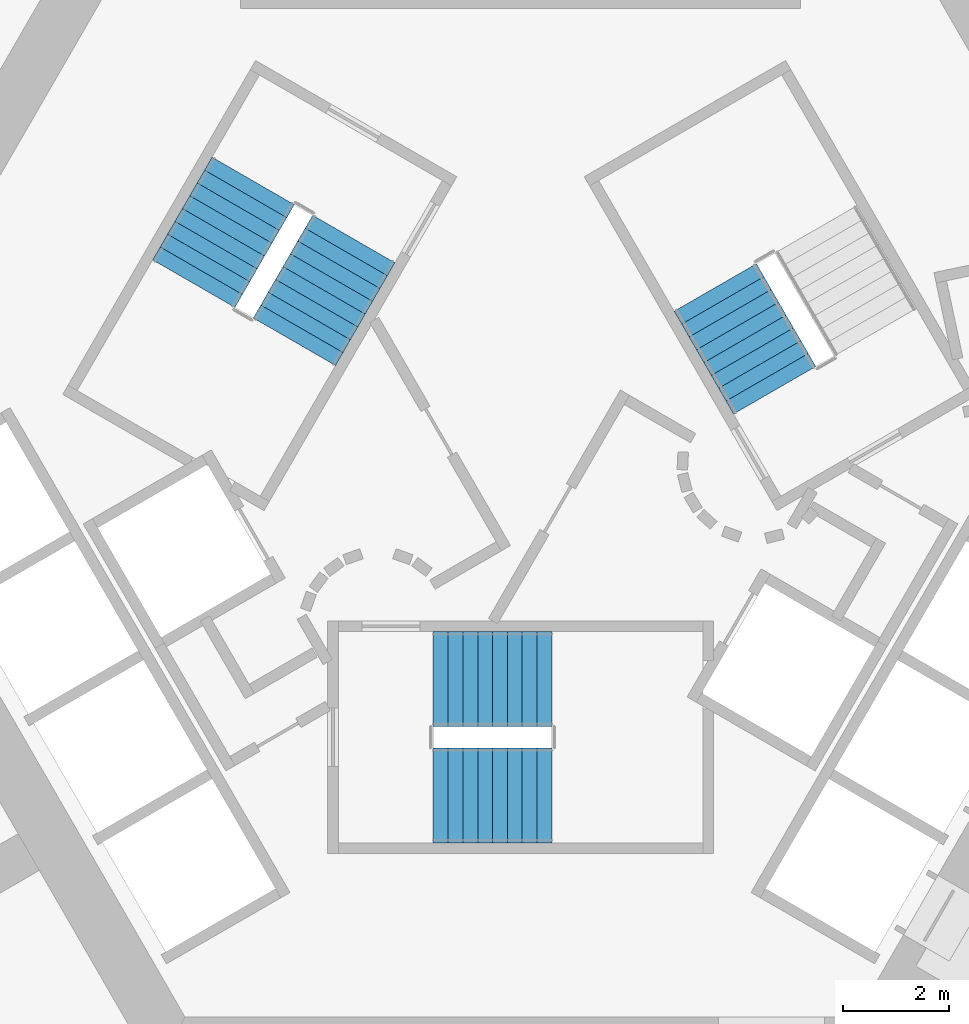
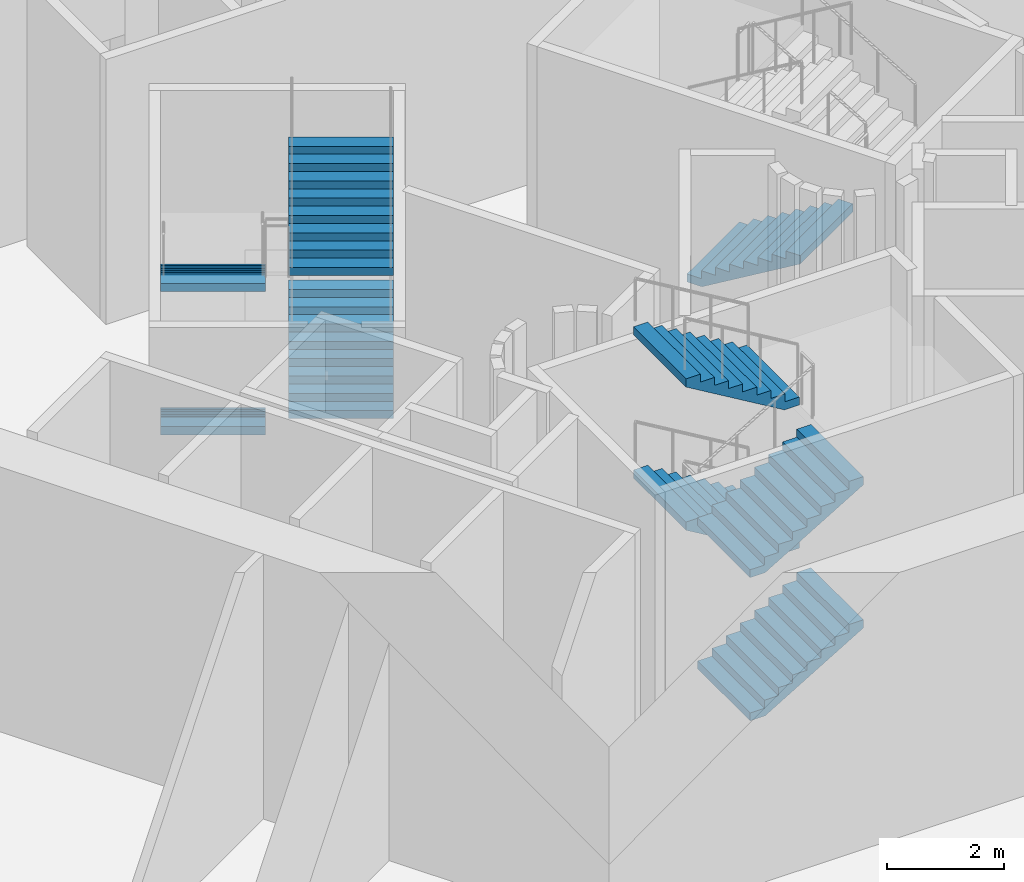
# One storey, part 9 of 15: 9 stair flights, 3 elements without a shape of their own.
"""IFC4 building model written with IfcOpenShell, lengths in metres."""

from ifc_helpers import new_model, si_unit, direction, frame, origin, place, context, subcontext, project, spatial, triangles, material, type_object, element, aggregate, save


model = new_model("IFC4")

# Units and contexts
model_context = context("Model", 3, precision=1e-05, world=origin(), true_north=direction((0.0, 1.0)))
body_context = subcontext(model_context, "Body", "Model", "MODEL_VIEW")
ifc_project = project(units=[si_unit("LENGTHUNIT", "METRE"), si_unit("AREAUNIT", "SQUARE_METRE"), si_unit("VOLUMEUNIT", "CUBIC_METRE"), si_unit("PLANEANGLEUNIT", "RADIAN"), si_unit("MASSUNIT", "GRAM", prefix="KILO")], contexts=[model_context])

# Site, building, storey
site_placement = place(None, origin())
site = spatial("IfcSite", under=ifc_project, at=site_placement, CompositionType="ELEMENT")
building_placement = place(site_placement, origin())
building = spatial("IfcBuilding", under=site, at=building_placement, Name="Entoto Arch Interchange Tower", CompositionType="ELEMENT")
storey_placement = place(building_placement, frame((0.0, 0.0, 9.0)))
storey = spatial("IfcBuildingStorey", under=building, at=storey_placement, Name="L01", CompositionType="ELEMENT", Elevation=9.0)

# Stair, stair flights
ifc_material = material(Name="Concrete C40/50", Category="concrete")
stair_type = type_object("IfcStairType", Name="EXIT STAIR RC 1800", PredefinedType="HALF_TURN_STAIR", material=ifc_material)
stair_1_placement = place(storey_placement, origin())
stair_1 = element("IfcStair", 1, at=stair_1_placement, inside=storey, type_object=stair_type, Name="L01 Exit stair S", PredefinedType="HALF_TURN_STAIR")
stair_flight_type = type_object("IfcStairFlightType", Name="EXIT STAIR FLIGHT RC 1800", PredefinedType="STRAIGHT", material=ifc_material)
stair_flight_1_placement = place(storey_placement, frame((-1.64990234375, -4.300048828125, 0.0), z_axis=(0.0, 0.0, 1.0), x_axis=(1.0, 0.0, 0.0)))
stair_flight_1 = element("IfcStairFlight", 2, at=stair_flight_1_placement, type_object=stair_flight_type, Name="ST-S flight 1", NumberOfRisers=9, NumberOfTreads=8, PredefinedType="STRAIGHT", RiserHeight=0.166666667, TreadLength=0.28, context=body_context, shape_type="Tessellation", body=[
    triangles([(-0.003, -0.900024, 0.0), (-0.003, -0.900024, 0.166667), (0.28, -0.900024, 0.166667), (0.28, -0.900024, 0.333333), (0.56, -0.900024, 0.333333), (0.56, -0.900024, 0.5), (0.84, -0.900024, 0.5), (0.84, -0.900024, 0.666667), (1.12, -0.900024, 0.666667), (1.12, -0.900024, 0.833333), (1.4, -0.900024, 0.833333), (1.4, -0.900024, 1.0), (1.68, -0.900024, 1.0), (1.68, -0.900024, 1.166667), (1.96, -0.900024, 1.166667), (1.96, -0.900024, 1.333333), (2.24, -0.900024, 1.333333), (2.243, -0.900024, 1.333333), (2.243, -0.900024, 1.160671), (0.293073, -0.900024, 0.0), (-0.003, 0.900024, 0.0), (-0.003, 0.900024, 0.166667), (0.28, 0.900024, 0.166667), (0.28, 0.900024, 0.333333), (0.56, 0.900024, 0.333333), (0.56, 0.900024, 0.5), (0.84, 0.900024, 0.5), (0.84, 0.900024, 0.666667), (1.12, 0.900024, 0.666667), (1.12, 0.900024, 0.833333), (1.4, 0.900024, 0.833333), (1.4, 0.900024, 1.0), (1.68, 0.900024, 1.0), (1.68, 0.900024, 1.166667), (1.96, 0.900024, 1.166667), (1.96, 0.900024, 1.333333), (2.24, 0.900024, 1.333333), (2.243, 0.900024, 1.333333), (2.243, 0.900024, 1.160671), (0.293073, 0.900024, 0.0), (-0.003, 0.0, 0.0), (-0.003, 0.0, 0.166667), (0.28, 0.0, 0.166667), (0.28, 0.0, 0.333333), (0.56, 0.0, 0.333333), (0.56, 0.0, 0.5), (0.84, 0.0, 0.5), (0.84, 0.0, 0.666667), (1.12, 0.0, 0.666667), (1.12, 0.0, 0.833333), (1.4, 0.0, 0.833333), (1.4, 0.0, 1.0), (1.68, 0.0, 1.0), (1.68, 0.0, 1.166667), (1.96, 0.0, 1.166667), (1.96, 0.0, 1.333333), (2.24, 0.0, 1.333333), (2.243, 0.0, 1.333333), (2.243, 0.0, 1.160671), (0.293073, 0.0, 0.0)], [[1, 20, 19], [19, 18, 17], [19, 17, 16], [19, 16, 15], [19, 15, 14], [19, 14, 13], [13, 12, 11], [19, 13, 11], [11, 10, 9], [19, 11, 9], [9, 8, 7], [19, 9, 7], [7, 6, 5], [19, 7, 5], [5, 4, 3], [19, 5, 3], [1, 19, 3], [3, 2, 1], [21, 39, 40], [39, 37, 38], [39, 36, 37], [39, 35, 36], [39, 34, 35], [39, 33, 34], [33, 31, 32], [39, 31, 33], [31, 29, 30], [39, 29, 31], [29, 27, 28], [39, 27, 29], [27, 25, 26], [39, 25, 27], [25, 23, 24], [39, 23, 25], [21, 23, 39], [23, 21, 22], [1, 2, 42], [1, 42, 41], [41, 42, 22], [41, 22, 21], [2, 3, 43], [2, 43, 42], [42, 43, 23], [42, 23, 22], [3, 4, 44], [3, 44, 43], [43, 44, 24], [43, 24, 23], [4, 5, 45], [4, 45, 44], [44, 45, 25], [44, 25, 24], [5, 6, 46], [5, 46, 45], [45, 46, 26], [45, 26, 25], [6, 7, 47], [6, 47, 46], [46, 47, 27], [46, 27, 26], [7, 8, 48], [7, 48, 47], [47, 48, 28], [47, 28, 27], [8, 9, 49], [8, 49, 48], [48, 49, 29], [48, 29, 28], [9, 10, 50], [9, 50, 49], [49, 50, 30], [49, 30, 29], [10, 11, 51], [10, 51, 50], [50, 51, 31], [50, 31, 30], [11, 12, 52], [11, 52, 51], [51, 52, 32], [51, 32, 31], [12, 13, 53], [12, 53, 52], [52, 53, 33], [52, 33, 32], [13, 14, 54], [13, 54, 53], [53, 54, 34], [53, 34, 33], [14, 15, 55], [14, 55, 54], [54, 55, 35], [54, 35, 34], [15, 16, 56], [15, 56, 55], [55, 56, 36], [55, 36, 35], [16, 17, 57], [16, 57, 56], [56, 57, 37], [56, 37, 36], [17, 18, 58], [17, 58, 57], [57, 58, 38], [57, 38, 37], [18, 19, 59], [18, 59, 58], [58, 59, 39], [58, 39, 38], [19, 20, 60], [19, 60, 59], [59, 60, 40], [59, 40, 39], [20, 1, 41], [20, 41, 60], [60, 41, 21], [60, 21, 40]], closed=True),
])
stair_flight_2_placement = place(storey_placement, frame((0.590087890625, -2.10009765625, 1.5), z_axis=(0.0, 0.0, 1.0), x_axis=(-1.0, 0.0, 0.0)))
stair_flight_2 = element("IfcStairFlight", 3, at=stair_flight_2_placement, type_object=stair_flight_type, Name="ST-S flight 2", NumberOfRisers=9, NumberOfTreads=8, PredefinedType="STRAIGHT", RiserHeight=0.166666667, TreadLength=0.28, context=body_context, shape_type="Tessellation", body=[
    triangles([(-0.003, -0.900024, 0.0), (-0.003, -0.900024, 0.166667), (0.28, -0.900024, 0.166667), (0.28, -0.900024, 0.333333), (0.56, -0.900024, 0.333333), (0.56, -0.900024, 0.5), (0.84, -0.900024, 0.5), (0.84, -0.900024, 0.666667), (1.12, -0.900024, 0.666667), (1.12, -0.900024, 0.833333), (1.4, -0.900024, 0.833333), (1.4, -0.900024, 1.0), (1.68, -0.900024, 1.0), (1.68, -0.900024, 1.166667), (1.96, -0.900024, 1.166667), (1.96, -0.900024, 1.333333), (2.24, -0.900024, 1.333333), (2.243, -0.900024, 1.333333), (2.243, -0.900024, 1.160671), (0.293073, -0.900024, 0.0), (-0.003, 0.900024, 0.0), (-0.003, 0.900024, 0.166667), (0.28, 0.900024, 0.166667), (0.28, 0.900024, 0.333333), (0.56, 0.900024, 0.333333), (0.56, 0.900024, 0.5), (0.84, 0.900024, 0.5), (0.84, 0.900024, 0.666667), (1.12, 0.900024, 0.666667), (1.12, 0.900024, 0.833333), (1.4, 0.900024, 0.833333), (1.4, 0.900024, 1.0), (1.68, 0.900024, 1.0), (1.68, 0.900024, 1.166667), (1.96, 0.900024, 1.166667), (1.96, 0.900024, 1.333333), (2.24, 0.900024, 1.333333), (2.243, 0.900024, 1.333333), (2.243, 0.900024, 1.160671), (0.293073, 0.900024, 0.0), (-0.003, 0.0, 0.0), (-0.003, 0.0, 0.166667), (0.28, 0.0, 0.166667), (0.28, 0.0, 0.333333), (0.56, 0.0, 0.333333), (0.56, 0.0, 0.5), (0.84, 0.0, 0.5), (0.84, 0.0, 0.666667), (1.12, 0.0, 0.666667), (1.12, 0.0, 0.833333), (1.4, 0.0, 0.833333), (1.4, 0.0, 1.0), (1.68, 0.0, 1.0), (1.68, 0.0, 1.166667), (1.96, 0.0, 1.166667), (1.96, 0.0, 1.333333), (2.24, 0.0, 1.333333), (2.243, 0.0, 1.333333), (2.243, 0.0, 1.160671), (0.293073, 0.0, 0.0)], [[1, 20, 19], [19, 18, 17], [19, 17, 16], [19, 16, 15], [19, 15, 14], [19, 14, 13], [13, 12, 11], [19, 13, 11], [11, 10, 9], [19, 11, 9], [9, 8, 7], [19, 9, 7], [7, 6, 5], [19, 7, 5], [5, 4, 3], [19, 5, 3], [1, 19, 3], [3, 2, 1], [21, 39, 40], [39, 37, 38], [39, 36, 37], [39, 35, 36], [39, 34, 35], [39, 33, 34], [33, 31, 32], [39, 31, 33], [31, 29, 30], [39, 29, 31], [29, 27, 28], [39, 27, 29], [27, 25, 26], [39, 25, 27], [25, 23, 24], [39, 23, 25], [21, 23, 39], [23, 21, 22], [1, 2, 42], [1, 42, 41], [41, 42, 22], [41, 22, 21], [2, 3, 43], [2, 43, 42], [42, 43, 23], [42, 23, 22], [3, 4, 44], [3, 44, 43], [43, 44, 24], [43, 24, 23], [4, 5, 45], [4, 45, 44], [44, 45, 25], [44, 25, 24], [5, 6, 46], [5, 46, 45], [45, 46, 26], [45, 26, 25], [6, 7, 47], [6, 47, 46], [46, 47, 27], [46, 27, 26], [7, 8, 48], [7, 48, 47], [47, 48, 28], [47, 28, 27], [8, 9, 49], [8, 49, 48], [48, 49, 29], [48, 29, 28], [9, 10, 50], [9, 50, 49], [49, 50, 30], [49, 30, 29], [10, 11, 51], [10, 51, 50], [50, 51, 31], [50, 31, 30], [11, 12, 52], [11, 52, 51], [51, 52, 32], [51, 32, 31], [12, 13, 53], [12, 53, 52], [52, 53, 33], [52, 33, 32], [13, 14, 54], [13, 54, 53], [53, 54, 34], [53, 34, 33], [14, 15, 55], [14, 55, 54], [54, 55, 35], [54, 35, 34], [15, 16, 56], [15, 56, 55], [55, 56, 36], [55, 36, 35], [16, 17, 57], [16, 57, 56], [56, 57, 37], [56, 37, 36], [17, 18, 58], [17, 58, 57], [57, 58, 38], [57, 38, 37], [18, 19, 59], [18, 59, 58], [58, 59, 39], [58, 39, 38], [19, 20, 60], [19, 60, 59], [59, 60, 40], [59, 40, 39], [20, 1, 41], [20, 41, 60], [60, 41, 21], [60, 21, 40]], closed=True),
])
stair_flight_3_placement = place(storey_placement, frame((-1.64990234375, -4.300048828125, 3.0), z_axis=(0.0, 0.0, 1.0), x_axis=(1.0, 0.0, 0.0)))
stair_flight_3 = element("IfcStairFlight", 4, at=stair_flight_3_placement, type_object=stair_flight_type, Name="ST-S flight 3", NumberOfRisers=9, NumberOfTreads=8, PredefinedType="STRAIGHT", RiserHeight=0.166666667, TreadLength=0.28, context=body_context, shape_type="Tessellation", body=[
    triangles([(-0.003, -0.900024, 0.0), (-0.003, -0.900024, 0.166667), (0.28, -0.900024, 0.166667), (0.28, -0.900024, 0.333333), (0.56, -0.900024, 0.333333), (0.56, -0.900024, 0.5), (0.84, -0.900024, 0.5), (0.84, -0.900024, 0.666667), (1.12, -0.900024, 0.666667), (1.12, -0.900024, 0.833333), (1.4, -0.900024, 0.833333), (1.4, -0.900024, 1.0), (1.68, -0.900024, 1.0), (1.68, -0.900024, 1.166667), (1.96, -0.900024, 1.166667), (1.96, -0.900024, 1.333333), (2.24, -0.900024, 1.333333), (2.243, -0.900024, 1.333333), (2.243, -0.900024, 1.160671), (0.293073, -0.900024, 0.0), (-0.003, 0.900024, 0.0), (-0.003, 0.900024, 0.166667), (0.28, 0.900024, 0.166667), (0.28, 0.900024, 0.333333), (0.56, 0.900024, 0.333333), (0.56, 0.900024, 0.5), (0.84, 0.900024, 0.5), (0.84, 0.900024, 0.666667), (1.12, 0.900024, 0.666667), (1.12, 0.900024, 0.833333), (1.4, 0.900024, 0.833333), (1.4, 0.900024, 1.0), (1.68, 0.900024, 1.0), (1.68, 0.900024, 1.166667), (1.96, 0.900024, 1.166667), (1.96, 0.900024, 1.333333), (2.24, 0.900024, 1.333333), (2.243, 0.900024, 1.333333), (2.243, 0.900024, 1.160671), (0.293073, 0.900024, 0.0), (-0.003, 0.0, 0.0), (-0.003, 0.0, 0.166667), (0.28, 0.0, 0.166667), (0.28, 0.0, 0.333333), (0.56, 0.0, 0.333333), (0.56, 0.0, 0.5), (0.84, 0.0, 0.5), (0.84, 0.0, 0.666667), (1.12, 0.0, 0.666667), (1.12, 0.0, 0.833333), (1.4, 0.0, 0.833333), (1.4, 0.0, 1.0), (1.68, 0.0, 1.0), (1.68, 0.0, 1.166667), (1.96, 0.0, 1.166667), (1.96, 0.0, 1.333333), (2.24, 0.0, 1.333333), (2.243, 0.0, 1.333333), (2.243, 0.0, 1.160671), (0.293073, 0.0, 0.0)], [[1, 20, 19], [19, 18, 17], [19, 17, 16], [19, 16, 15], [19, 15, 14], [19, 14, 13], [13, 12, 11], [19, 13, 11], [11, 10, 9], [19, 11, 9], [9, 8, 7], [19, 9, 7], [7, 6, 5], [19, 7, 5], [5, 4, 3], [19, 5, 3], [1, 19, 3], [3, 2, 1], [21, 39, 40], [39, 37, 38], [39, 36, 37], [39, 35, 36], [39, 34, 35], [39, 33, 34], [33, 31, 32], [39, 31, 33], [31, 29, 30], [39, 29, 31], [29, 27, 28], [39, 27, 29], [27, 25, 26], [39, 25, 27], [25, 23, 24], [39, 23, 25], [21, 23, 39], [23, 21, 22], [1, 2, 42], [1, 42, 41], [41, 42, 22], [41, 22, 21], [2, 3, 43], [2, 43, 42], [42, 43, 23], [42, 23, 22], [3, 4, 44], [3, 44, 43], [43, 44, 24], [43, 24, 23], [4, 5, 45], [4, 45, 44], [44, 45, 25], [44, 25, 24], [5, 6, 46], [5, 46, 45], [45, 46, 26], [45, 26, 25], [6, 7, 47], [6, 47, 46], [46, 47, 27], [46, 27, 26], [7, 8, 48], [7, 48, 47], [47, 48, 28], [47, 28, 27], [8, 9, 49], [8, 49, 48], [48, 49, 29], [48, 29, 28], [9, 10, 50], [9, 50, 49], [49, 50, 30], [49, 30, 29], [10, 11, 51], [10, 51, 50], [50, 51, 31], [50, 31, 30], [11, 12, 52], [11, 52, 51], [51, 52, 32], [51, 32, 31], [12, 13, 53], [12, 53, 52], [52, 53, 33], [52, 33, 32], [13, 14, 54], [13, 54, 53], [53, 54, 34], [53, 34, 33], [14, 15, 55], [14, 55, 54], [54, 55, 35], [54, 35, 34], [15, 16, 56], [15, 56, 55], [55, 56, 36], [55, 36, 35], [16, 17, 57], [16, 57, 56], [56, 57, 37], [56, 37, 36], [17, 18, 58], [17, 58, 57], [57, 58, 38], [57, 38, 37], [18, 19, 59], [18, 59, 58], [58, 59, 39], [58, 39, 38], [19, 20, 60], [19, 60, 59], [59, 60, 40], [59, 40, 39], [20, 1, 41], [20, 41, 60], [60, 41, 21], [60, 21, 40]], closed=True),
])
stair_flight_4_placement = place(storey_placement, frame((0.590087890625, -2.10009765625, 4.5), z_axis=(0.0, 0.0, 1.0), x_axis=(-1.0, 0.0, 0.0)))
stair_flight_4 = element("IfcStairFlight", 5, at=stair_flight_4_placement, type_object=stair_flight_type, Name="ST-S flight 4", NumberOfRisers=9, NumberOfTreads=8, PredefinedType="STRAIGHT", RiserHeight=0.166666667, TreadLength=0.28, context=body_context, shape_type="Tessellation", body=[
    triangles([(-0.003, -0.900024, 0.0), (-0.003, -0.900024, 0.166667), (0.28, -0.900024, 0.166667), (0.28, -0.900024, 0.333333), (0.56, -0.900024, 0.333333), (0.56, -0.900024, 0.5), (0.84, -0.900024, 0.5), (0.84, -0.900024, 0.666667), (1.12, -0.900024, 0.666667), (1.12, -0.900024, 0.833333), (1.4, -0.900024, 0.833333), (1.4, -0.900024, 1.0), (1.68, -0.900024, 1.0), (1.68, -0.900024, 1.166667), (1.96, -0.900024, 1.166667), (1.96, -0.900024, 1.333333), (2.24, -0.900024, 1.333333), (2.243, -0.900024, 1.333333), (2.243, -0.900024, 1.160671), (0.293073, -0.900024, 0.0), (-0.003, 0.900024, 0.0), (-0.003, 0.900024, 0.166667), (0.28, 0.900024, 0.166667), (0.28, 0.900024, 0.333333), (0.56, 0.900024, 0.333333), (0.56, 0.900024, 0.5), (0.84, 0.900024, 0.5), (0.84, 0.900024, 0.666667), (1.12, 0.900024, 0.666667), (1.12, 0.900024, 0.833333), (1.4, 0.900024, 0.833333), (1.4, 0.900024, 1.0), (1.68, 0.900024, 1.0), (1.68, 0.900024, 1.166667), (1.96, 0.900024, 1.166667), (1.96, 0.900024, 1.333333), (2.24, 0.900024, 1.333333), (2.243, 0.900024, 1.333333), (2.243, 0.900024, 1.160671), (0.293073, 0.900024, 0.0), (-0.003, 0.0, 0.0), (-0.003, 0.0, 0.166667), (0.28, 0.0, 0.166667), (0.28, 0.0, 0.333333), (0.56, 0.0, 0.333333), (0.56, 0.0, 0.5), (0.84, 0.0, 0.5), (0.84, 0.0, 0.666667), (1.12, 0.0, 0.666667), (1.12, 0.0, 0.833333), (1.4, 0.0, 0.833333), (1.4, 0.0, 1.0), (1.68, 0.0, 1.0), (1.68, 0.0, 1.166667), (1.96, 0.0, 1.166667), (1.96, 0.0, 1.333333), (2.24, 0.0, 1.333333), (2.243, 0.0, 1.333333), (2.243, 0.0, 1.160671), (0.293073, 0.0, 0.0)], [[1, 20, 19], [19, 18, 17], [19, 17, 16], [19, 16, 15], [19, 15, 14], [19, 14, 13], [13, 12, 11], [19, 13, 11], [11, 10, 9], [19, 11, 9], [9, 8, 7], [19, 9, 7], [7, 6, 5], [19, 7, 5], [5, 4, 3], [19, 5, 3], [1, 19, 3], [3, 2, 1], [21, 39, 40], [39, 37, 38], [39, 36, 37], [39, 35, 36], [39, 34, 35], [39, 33, 34], [33, 31, 32], [39, 31, 33], [31, 29, 30], [39, 29, 31], [29, 27, 28], [39, 27, 29], [27, 25, 26], [39, 25, 27], [25, 23, 24], [39, 23, 25], [21, 23, 39], [23, 21, 22], [1, 2, 42], [1, 42, 41], [41, 42, 22], [41, 22, 21], [2, 3, 43], [2, 43, 42], [42, 43, 23], [42, 23, 22], [3, 4, 44], [3, 44, 43], [43, 44, 24], [43, 24, 23], [4, 5, 45], [4, 45, 44], [44, 45, 25], [44, 25, 24], [5, 6, 46], [5, 46, 45], [45, 46, 26], [45, 26, 25], [6, 7, 47], [6, 47, 46], [46, 47, 27], [46, 27, 26], [7, 8, 48], [7, 48, 47], [47, 48, 28], [47, 28, 27], [8, 9, 49], [8, 49, 48], [48, 49, 29], [48, 29, 28], [9, 10, 50], [9, 50, 49], [49, 50, 30], [49, 30, 29], [10, 11, 51], [10, 51, 50], [50, 51, 31], [50, 31, 30], [11, 12, 52], [11, 52, 51], [51, 52, 32], [51, 32, 31], [12, 13, 53], [12, 53, 52], [52, 53, 33], [52, 33, 32], [13, 14, 54], [13, 54, 53], [53, 54, 34], [53, 34, 33], [14, 15, 55], [14, 55, 54], [54, 55, 35], [54, 35, 34], [15, 16, 56], [15, 56, 55], [55, 56, 36], [55, 36, 35], [16, 17, 57], [16, 57, 56], [56, 57, 37], [56, 37, 36], [17, 18, 58], [17, 58, 57], [57, 58, 38], [57, 38, 37], [18, 19, 59], [18, 59, 58], [58, 59, 39], [58, 39, 38], [19, 20, 60], [19, 60, 59], [59, 60, 40], [59, 40, 39], [20, 1, 41], [20, 41, 60], [60, 41, 21], [60, 21, 40]], closed=True),
])
aggregate(stair_1, [stair_flight_1, stair_flight_2, stair_flight_3, stair_flight_4])

# Stair, stair flight
stair_2_placement = place(storey_placement, origin())
stair_2 = element("IfcStair", 6, at=stair_2_placement, inside=storey, type_object=stair_type, Name="L01 Exit stair NE", PredefinedType="HALF_TURN_STAIR")
stair_flight_5_placement = place(storey_placement, frame((3.688720703125, 5.31103515625, 1.5), z_axis=(0.0, 0.0, 1.0), x_axis=(0.5, -0.866025403784, 0.0)))
stair_flight_5 = element("IfcStairFlight", 7, at=stair_flight_5_placement, type_object=stair_flight_type, Name="ST-NE flight 2", NumberOfRisers=9, NumberOfTreads=8, PredefinedType="STRAIGHT", RiserHeight=0.166666667, TreadLength=0.28, context=body_context, shape_type="Tessellation", body=[
    triangles([(-0.003, -0.900024, 0.0), (-0.003, -0.900024, 0.166667), (0.28, -0.900024, 0.166667), (0.28, -0.900024, 0.333333), (0.56, -0.900024, 0.333333), (0.56, -0.900024, 0.5), (0.84, -0.900024, 0.5), (0.84, -0.900024, 0.666667), (1.12, -0.900024, 0.666667), (1.12, -0.900024, 0.833333), (1.4, -0.900024, 0.833333), (1.4, -0.900024, 1.0), (1.68, -0.900024, 1.0), (1.68, -0.900024, 1.166667), (1.96, -0.900024, 1.166667), (1.96, -0.900024, 1.333333), (2.24, -0.900024, 1.333333), (2.243, -0.900024, 1.333333), (2.243, -0.900024, 1.160671), (0.293073, -0.900024, 0.0), (-0.003, 0.900024, 0.0), (-0.003, 0.900024, 0.166667), (0.28, 0.900024, 0.166667), (0.28, 0.900024, 0.333333), (0.56, 0.900024, 0.333333), (0.56, 0.900024, 0.5), (0.84, 0.900024, 0.5), (0.84, 0.900024, 0.666667), (1.12, 0.900024, 0.666667), (1.12, 0.900024, 0.833333), (1.4, 0.900024, 0.833333), (1.4, 0.900024, 1.0), (1.68, 0.900024, 1.0), (1.68, 0.900024, 1.166667), (1.96, 0.900024, 1.166667), (1.96, 0.900024, 1.333333), (2.24, 0.900024, 1.333333), (2.243, 0.900024, 1.333333), (2.243, 0.900024, 1.160671), (0.293073, 0.900024, 0.0), (-0.003, 0.0, 0.0), (-0.003, 0.0, 0.166667), (0.28, 0.0, 0.166667), (0.28, 0.0, 0.333333), (0.56, 0.0, 0.333333), (0.56, 0.0, 0.5), (0.84, 0.0, 0.5), (0.84, 0.0, 0.666667), (1.12, 0.0, 0.666667), (1.12, 0.0, 0.833333), (1.4, 0.0, 0.833333), (1.4, 0.0, 1.0), (1.68, 0.0, 1.0), (1.68, 0.0, 1.166667), (1.96, 0.0, 1.166667), (1.96, 0.0, 1.333333), (2.24, 0.0, 1.333333), (2.243, 0.0, 1.333333), (2.243, 0.0, 1.160671), (0.293073, 0.0, 0.0)], [[1, 20, 19], [19, 18, 17], [19, 17, 16], [19, 16, 15], [19, 15, 14], [19, 14, 13], [13, 12, 11], [19, 13, 11], [11, 10, 9], [19, 11, 9], [9, 8, 7], [19, 9, 7], [7, 6, 5], [19, 7, 5], [5, 4, 3], [19, 5, 3], [1, 19, 3], [3, 2, 1], [21, 39, 40], [39, 37, 38], [39, 36, 37], [39, 35, 36], [39, 34, 35], [39, 33, 34], [33, 31, 32], [39, 31, 33], [31, 29, 30], [39, 29, 31], [29, 27, 28], [39, 27, 29], [27, 25, 26], [39, 25, 27], [25, 23, 24], [39, 23, 25], [21, 23, 39], [23, 21, 22], [1, 2, 42], [1, 42, 41], [41, 42, 22], [41, 22, 21], [2, 3, 43], [2, 43, 42], [42, 43, 23], [42, 23, 22], [3, 4, 44], [3, 44, 43], [43, 44, 24], [43, 24, 23], [4, 5, 45], [4, 45, 44], [44, 45, 25], [44, 25, 24], [5, 6, 46], [5, 46, 45], [45, 46, 26], [45, 26, 25], [6, 7, 47], [6, 47, 46], [46, 47, 27], [46, 27, 26], [7, 8, 48], [7, 48, 47], [47, 48, 28], [47, 28, 27], [8, 9, 49], [8, 49, 48], [48, 49, 29], [48, 29, 28], [9, 10, 50], [9, 50, 49], [49, 50, 30], [49, 30, 29], [10, 11, 51], [10, 51, 50], [50, 51, 31], [50, 31, 30], [11, 12, 52], [11, 52, 51], [51, 52, 32], [51, 32, 31], [12, 13, 53], [12, 53, 52], [52, 53, 33], [52, 33, 32], [13, 14, 54], [13, 54, 53], [53, 54, 34], [53, 34, 33], [14, 15, 55], [14, 55, 54], [54, 55, 35], [54, 35, 34], [15, 16, 56], [15, 56, 55], [55, 56, 36], [55, 36, 35], [16, 17, 57], [16, 57, 56], [56, 57, 37], [56, 37, 36], [17, 18, 58], [17, 58, 57], [57, 58, 38], [57, 38, 37], [18, 19, 59], [18, 59, 58], [58, 59, 39], [58, 39, 38], [19, 20, 60], [19, 60, 59], [59, 60, 40], [59, 40, 39], [20, 1, 41], [20, 41, 60], [60, 41, 21], [60, 21, 40]], closed=True),
])
aggregate(stair_2, [stair_flight_5])

# Stair, stair flights
stair_3_placement = place(storey_placement, origin())
stair_3 = element("IfcStair", 8, at=stair_3_placement, inside=storey, type_object=stair_type, Name="L01 Exit stair NW", PredefinedType="HALF_TURN_STAIR")
stair_flight_6_placement = place(storey_placement, frame((-5.06396484375, 7.328857421875, 0.0), z_axis=(0.0, 0.0, 1.0), x_axis=(-0.5, -0.866025403784, 0.0)))
stair_flight_6 = element("IfcStairFlight", 9, at=stair_flight_6_placement, type_object=stair_flight_type, Name="ST-NW flight 1", NumberOfRisers=9, NumberOfTreads=8, PredefinedType="STRAIGHT", RiserHeight=0.166666667, TreadLength=0.28, context=body_context, shape_type="Tessellation", body=[
    triangles([(-0.003, -0.900024, 0.0), (-0.003, -0.900024, 0.166667), (0.28, -0.900024, 0.166667), (0.28, -0.900024, 0.333333), (0.56, -0.900024, 0.333333), (0.56, -0.900024, 0.5), (0.84, -0.900024, 0.5), (0.84, -0.900024, 0.666667), (1.12, -0.900024, 0.666667), (1.12, -0.900024, 0.833333), (1.4, -0.900024, 0.833333), (1.4, -0.900024, 1.0), (1.68, -0.900024, 1.0), (1.68, -0.900024, 1.166667), (1.96, -0.900024, 1.166667), (1.96, -0.900024, 1.333333), (2.24, -0.900024, 1.333333), (2.243, -0.900024, 1.333333), (2.243, -0.900024, 1.160671), (0.293073, -0.900024, 0.0), (-0.003, 0.900024, 0.0), (-0.003, 0.900024, 0.166667), (0.28, 0.900024, 0.166667), (0.28, 0.900024, 0.333333), (0.56, 0.900024, 0.333333), (0.56, 0.900024, 0.5), (0.84, 0.900024, 0.5), (0.84, 0.900024, 0.666667), (1.12, 0.900024, 0.666667), (1.12, 0.900024, 0.833333), (1.4, 0.900024, 0.833333), (1.4, 0.900024, 1.0), (1.68, 0.900024, 1.0), (1.68, 0.900024, 1.166667), (1.96, 0.900024, 1.166667), (1.96, 0.900024, 1.333333), (2.24, 0.900024, 1.333333), (2.243, 0.900024, 1.333333), (2.243, 0.900024, 1.160671), (0.293073, 0.900024, 0.0), (-0.003, 0.0, 0.0), (-0.003, 0.0, 0.166667), (0.28, 0.0, 0.166667), (0.28, 0.0, 0.333333), (0.56, 0.0, 0.333333), (0.56, 0.0, 0.5), (0.84, 0.0, 0.5), (0.84, 0.0, 0.666667), (1.12, 0.0, 0.666667), (1.12, 0.0, 0.833333), (1.4, 0.0, 0.833333), (1.4, 0.0, 1.0), (1.68, 0.0, 1.0), (1.68, 0.0, 1.166667), (1.96, 0.0, 1.166667), (1.96, 0.0, 1.333333), (2.24, 0.0, 1.333333), (2.243, 0.0, 1.333333), (2.243, 0.0, 1.160671), (0.293073, 0.0, 0.0)], [[1, 20, 19], [19, 18, 17], [19, 17, 16], [19, 16, 15], [19, 15, 14], [19, 14, 13], [13, 12, 11], [19, 13, 11], [11, 10, 9], [19, 11, 9], [9, 8, 7], [19, 9, 7], [7, 6, 5], [19, 7, 5], [5, 4, 3], [19, 5, 3], [1, 19, 3], [3, 2, 1], [21, 39, 40], [39, 37, 38], [39, 36, 37], [39, 35, 36], [39, 34, 35], [39, 33, 34], [33, 31, 32], [39, 31, 33], [31, 29, 30], [39, 29, 31], [29, 27, 28], [39, 27, 29], [27, 25, 26], [39, 25, 27], [25, 23, 24], [39, 23, 25], [21, 23, 39], [23, 21, 22], [1, 2, 42], [1, 42, 41], [41, 42, 22], [41, 22, 21], [2, 3, 43], [2, 43, 42], [42, 43, 23], [42, 23, 22], [3, 4, 44], [3, 44, 43], [43, 44, 24], [43, 24, 23], [4, 5, 45], [4, 45, 44], [44, 45, 25], [44, 25, 24], [5, 6, 46], [5, 46, 45], [45, 46, 26], [45, 26, 25], [6, 7, 47], [6, 47, 46], [46, 47, 27], [46, 27, 26], [7, 8, 48], [7, 48, 47], [47, 48, 28], [47, 28, 27], [8, 9, 49], [8, 49, 48], [48, 49, 29], [48, 29, 28], [9, 10, 50], [9, 50, 49], [49, 50, 30], [49, 30, 29], [10, 11, 51], [10, 51, 50], [50, 51, 31], [50, 31, 30], [11, 12, 52], [11, 52, 51], [51, 52, 32], [51, 32, 31], [12, 13, 53], [12, 53, 52], [52, 53, 33], [52, 33, 32], [13, 14, 54], [13, 54, 53], [53, 54, 34], [53, 34, 33], [14, 15, 55], [14, 55, 54], [54, 55, 35], [54, 35, 34], [15, 16, 56], [15, 56, 55], [55, 56, 36], [55, 36, 35], [16, 17, 57], [16, 57, 56], [56, 57, 37], [56, 37, 36], [17, 18, 58], [17, 58, 57], [57, 58, 38], [57, 38, 37], [18, 19, 59], [18, 59, 58], [58, 59, 39], [58, 39, 38], [19, 20, 60], [19, 60, 59], [59, 60, 40], [59, 40, 39], [20, 1, 41], [20, 41, 60], [60, 41, 21], [60, 21, 40]], closed=True),
])
stair_flight_7_placement = place(storey_placement, frame((-4.27880859375, 4.2890625, 1.5), z_axis=(0.0, 0.0, 1.0), x_axis=(0.5, 0.866025403784, 0.0)))
stair_flight_7 = element("IfcStairFlight", 10, at=stair_flight_7_placement, type_object=stair_flight_type, Name="ST-NW flight 2", NumberOfRisers=9, NumberOfTreads=8, PredefinedType="STRAIGHT", RiserHeight=0.166666667, TreadLength=0.28, context=body_context, shape_type="Tessellation", body=[
    triangles([(-0.003, -0.900024, 0.0), (-0.003, -0.900024, 0.166667), (0.28, -0.900024, 0.166667), (0.28, -0.900024, 0.333333), (0.56, -0.900024, 0.333333), (0.56, -0.900024, 0.5), (0.84, -0.900024, 0.5), (0.84, -0.900024, 0.666667), (1.12, -0.900024, 0.666667), (1.12, -0.900024, 0.833333), (1.4, -0.900024, 0.833333), (1.4, -0.900024, 1.0), (1.68, -0.900024, 1.0), (1.68, -0.900024, 1.166667), (1.96, -0.900024, 1.166667), (1.96, -0.900024, 1.333333), (2.24, -0.900024, 1.333333), (2.243, -0.900024, 1.333333), (2.243, -0.900024, 1.160671), (0.293073, -0.900024, 0.0), (-0.003, 0.900024, 0.0), (-0.003, 0.900024, 0.166667), (0.28, 0.900024, 0.166667), (0.28, 0.900024, 0.333333), (0.56, 0.900024, 0.333333), (0.56, 0.900024, 0.5), (0.84, 0.900024, 0.5), (0.84, 0.900024, 0.666667), (1.12, 0.900024, 0.666667), (1.12, 0.900024, 0.833333), (1.4, 0.900024, 0.833333), (1.4, 0.900024, 1.0), (1.68, 0.900024, 1.0), (1.68, 0.900024, 1.166667), (1.96, 0.900024, 1.166667), (1.96, 0.900024, 1.333333), (2.24, 0.900024, 1.333333), (2.243, 0.900024, 1.333333), (2.243, 0.900024, 1.160671), (0.293073, 0.900024, 0.0), (-0.003, 0.0, 0.0), (-0.003, 0.0, 0.166667), (0.28, 0.0, 0.166667), (0.28, 0.0, 0.333333), (0.56, 0.0, 0.333333), (0.56, 0.0, 0.5), (0.84, 0.0, 0.5), (0.84, 0.0, 0.666667), (1.12, 0.0, 0.666667), (1.12, 0.0, 0.833333), (1.4, 0.0, 0.833333), (1.4, 0.0, 1.0), (1.68, 0.0, 1.0), (1.68, 0.0, 1.166667), (1.96, 0.0, 1.166667), (1.96, 0.0, 1.333333), (2.24, 0.0, 1.333333), (2.243, 0.0, 1.333333), (2.243, 0.0, 1.160671), (0.293073, 0.0, 0.0)], [[1, 20, 19], [19, 18, 17], [19, 17, 16], [19, 16, 15], [19, 15, 14], [19, 14, 13], [13, 12, 11], [19, 13, 11], [11, 10, 9], [19, 11, 9], [9, 8, 7], [19, 9, 7], [7, 6, 5], [19, 7, 5], [5, 4, 3], [19, 5, 3], [1, 19, 3], [3, 2, 1], [21, 39, 40], [39, 37, 38], [39, 36, 37], [39, 35, 36], [39, 34, 35], [39, 33, 34], [33, 31, 32], [39, 31, 33], [31, 29, 30], [39, 29, 31], [29, 27, 28], [39, 27, 29], [27, 25, 26], [39, 25, 27], [25, 23, 24], [39, 23, 25], [21, 23, 39], [23, 21, 22], [1, 2, 42], [1, 42, 41], [41, 42, 22], [41, 22, 21], [2, 3, 43], [2, 43, 42], [42, 43, 23], [42, 23, 22], [3, 4, 44], [3, 44, 43], [43, 44, 24], [43, 24, 23], [4, 5, 45], [4, 45, 44], [44, 45, 25], [44, 25, 24], [5, 6, 46], [5, 46, 45], [45, 46, 26], [45, 26, 25], [6, 7, 47], [6, 47, 46], [46, 47, 27], [46, 27, 26], [7, 8, 48], [7, 48, 47], [47, 48, 28], [47, 28, 27], [8, 9, 49], [8, 49, 48], [48, 49, 29], [48, 29, 28], [9, 10, 50], [9, 50, 49], [49, 50, 30], [49, 30, 29], [10, 11, 51], [10, 51, 50], [50, 51, 31], [50, 31, 30], [11, 12, 52], [11, 52, 51], [51, 52, 32], [51, 32, 31], [12, 13, 53], [12, 53, 52], [52, 53, 33], [52, 33, 32], [13, 14, 54], [13, 54, 53], [53, 54, 34], [53, 34, 33], [14, 15, 55], [14, 55, 54], [54, 55, 35], [54, 35, 34], [15, 16, 56], [15, 56, 55], [55, 56, 36], [55, 36, 35], [16, 17, 57], [16, 57, 56], [56, 57, 37], [56, 37, 36], [17, 18, 58], [17, 58, 57], [57, 58, 38], [57, 38, 37], [18, 19, 59], [18, 59, 58], [58, 59, 39], [58, 39, 38], [19, 20, 60], [19, 60, 59], [59, 60, 40], [59, 40, 39], [20, 1, 41], [20, 41, 60], [60, 41, 21], [60, 21, 40]], closed=True),
])
stair_flight_8_placement = place(storey_placement, frame((-5.06396484375, 7.328857421875, 3.0), z_axis=(0.0, 0.0, 1.0), x_axis=(-0.5, -0.866025403784, 0.0)))
stair_flight_8 = element("IfcStairFlight", 11, at=stair_flight_8_placement, type_object=stair_flight_type, Name="ST-NW flight 3", NumberOfRisers=9, NumberOfTreads=8, PredefinedType="STRAIGHT", RiserHeight=0.166666667, TreadLength=0.28, context=body_context, shape_type="Tessellation", body=[
    triangles([(-0.003, -0.900024, 0.0), (-0.003, -0.900024, 0.166667), (0.28, -0.900024, 0.166667), (0.28, -0.900024, 0.333333), (0.56, -0.900024, 0.333333), (0.56, -0.900024, 0.5), (0.84, -0.900024, 0.5), (0.84, -0.900024, 0.666667), (1.12, -0.900024, 0.666667), (1.12, -0.900024, 0.833333), (1.4, -0.900024, 0.833333), (1.4, -0.900024, 1.0), (1.68, -0.900024, 1.0), (1.68, -0.900024, 1.166667), (1.96, -0.900024, 1.166667), (1.96, -0.900024, 1.333333), (2.24, -0.900024, 1.333333), (2.243, -0.900024, 1.333333), (2.243, -0.900024, 1.160671), (0.293073, -0.900024, 0.0), (-0.003, 0.900024, 0.0), (-0.003, 0.900024, 0.166667), (0.28, 0.900024, 0.166667), (0.28, 0.900024, 0.333333), (0.56, 0.900024, 0.333333), (0.56, 0.900024, 0.5), (0.84, 0.900024, 0.5), (0.84, 0.900024, 0.666667), (1.12, 0.900024, 0.666667), (1.12, 0.900024, 0.833333), (1.4, 0.900024, 0.833333), (1.4, 0.900024, 1.0), (1.68, 0.900024, 1.0), (1.68, 0.900024, 1.166667), (1.96, 0.900024, 1.166667), (1.96, 0.900024, 1.333333), (2.24, 0.900024, 1.333333), (2.243, 0.900024, 1.333333), (2.243, 0.900024, 1.160671), (0.293073, 0.900024, 0.0), (-0.003, 0.0, 0.0), (-0.003, 0.0, 0.166667), (0.28, 0.0, 0.166667), (0.28, 0.0, 0.333333), (0.56, 0.0, 0.333333), (0.56, 0.0, 0.5), (0.84, 0.0, 0.5), (0.84, 0.0, 0.666667), (1.12, 0.0, 0.666667), (1.12, 0.0, 0.833333), (1.4, 0.0, 0.833333), (1.4, 0.0, 1.0), (1.68, 0.0, 1.0), (1.68, 0.0, 1.166667), (1.96, 0.0, 1.166667), (1.96, 0.0, 1.333333), (2.24, 0.0, 1.333333), (2.243, 0.0, 1.333333), (2.243, 0.0, 1.160671), (0.293073, 0.0, 0.0)], [[1, 20, 19], [19, 18, 17], [19, 17, 16], [19, 16, 15], [19, 15, 14], [19, 14, 13], [13, 12, 11], [19, 13, 11], [11, 10, 9], [19, 11, 9], [9, 8, 7], [19, 9, 7], [7, 6, 5], [19, 7, 5], [5, 4, 3], [19, 5, 3], [1, 19, 3], [3, 2, 1], [21, 39, 40], [39, 37, 38], [39, 36, 37], [39, 35, 36], [39, 34, 35], [39, 33, 34], [33, 31, 32], [39, 31, 33], [31, 29, 30], [39, 29, 31], [29, 27, 28], [39, 27, 29], [27, 25, 26], [39, 25, 27], [25, 23, 24], [39, 23, 25], [21, 23, 39], [23, 21, 22], [1, 2, 42], [1, 42, 41], [41, 42, 22], [41, 22, 21], [2, 3, 43], [2, 43, 42], [42, 43, 23], [42, 23, 22], [3, 4, 44], [3, 44, 43], [43, 44, 24], [43, 24, 23], [4, 5, 45], [4, 45, 44], [44, 45, 25], [44, 25, 24], [5, 6, 46], [5, 46, 45], [45, 46, 26], [45, 26, 25], [6, 7, 47], [6, 47, 46], [46, 47, 27], [46, 27, 26], [7, 8, 48], [7, 48, 47], [47, 48, 28], [47, 28, 27], [8, 9, 49], [8, 49, 48], [48, 49, 29], [48, 29, 28], [9, 10, 50], [9, 50, 49], [49, 50, 30], [49, 30, 29], [10, 11, 51], [10, 51, 50], [50, 51, 31], [50, 31, 30], [11, 12, 52], [11, 52, 51], [51, 52, 32], [51, 32, 31], [12, 13, 53], [12, 53, 52], [52, 53, 33], [52, 33, 32], [13, 14, 54], [13, 54, 53], [53, 54, 34], [53, 34, 33], [14, 15, 55], [14, 55, 54], [54, 55, 35], [54, 35, 34], [15, 16, 56], [15, 56, 55], [55, 56, 36], [55, 36, 35], [16, 17, 57], [16, 57, 56], [56, 57, 37], [56, 37, 36], [17, 18, 58], [17, 58, 57], [57, 58, 38], [57, 38, 37], [18, 19, 59], [18, 59, 58], [58, 59, 39], [58, 39, 38], [19, 20, 60], [19, 60, 59], [59, 60, 40], [59, 40, 39], [20, 1, 41], [20, 41, 60], [60, 41, 21], [60, 21, 40]], closed=True),
])
stair_flight_9_placement = place(storey_placement, frame((-4.27880859375, 4.2890625, 4.5), z_axis=(0.0, 0.0, 1.0), x_axis=(0.5, 0.866025403784, 0.0)))
stair_flight_9 = element("IfcStairFlight", 12, at=stair_flight_9_placement, type_object=stair_flight_type, Name="ST-NW flight 4", NumberOfRisers=9, NumberOfTreads=8, PredefinedType="STRAIGHT", RiserHeight=0.166666667, TreadLength=0.28, context=body_context, shape_type="Tessellation", body=[
    triangles([(-0.003, -0.900024, 0.0), (-0.003, -0.900024, 0.166667), (0.28, -0.900024, 0.166667), (0.28, -0.900024, 0.333333), (0.56, -0.900024, 0.333333), (0.56, -0.900024, 0.5), (0.84, -0.900024, 0.5), (0.84, -0.900024, 0.666667), (1.12, -0.900024, 0.666667), (1.12, -0.900024, 0.833333), (1.4, -0.900024, 0.833333), (1.4, -0.900024, 1.0), (1.68, -0.900024, 1.0), (1.68, -0.900024, 1.166667), (1.96, -0.900024, 1.166667), (1.96, -0.900024, 1.333333), (2.24, -0.900024, 1.333333), (2.243, -0.900024, 1.333333), (2.243, -0.900024, 1.160671), (0.293073, -0.900024, 0.0), (-0.003, 0.900024, 0.0), (-0.003, 0.900024, 0.166667), (0.28, 0.900024, 0.166667), (0.28, 0.900024, 0.333333), (0.56, 0.900024, 0.333333), (0.56, 0.900024, 0.5), (0.84, 0.900024, 0.5), (0.84, 0.900024, 0.666667), (1.12, 0.900024, 0.666667), (1.12, 0.900024, 0.833333), (1.4, 0.900024, 0.833333), (1.4, 0.900024, 1.0), (1.68, 0.900024, 1.0), (1.68, 0.900024, 1.166667), (1.96, 0.900024, 1.166667), (1.96, 0.900024, 1.333333), (2.24, 0.900024, 1.333333), (2.243, 0.900024, 1.333333), (2.243, 0.900024, 1.160671), (0.293073, 0.900024, 0.0), (-0.003, 0.0, 0.0), (-0.003, 0.0, 0.166667), (0.28, 0.0, 0.166667), (0.28, 0.0, 0.333333), (0.56, 0.0, 0.333333), (0.56, 0.0, 0.5), (0.84, 0.0, 0.5), (0.84, 0.0, 0.666667), (1.12, 0.0, 0.666667), (1.12, 0.0, 0.833333), (1.4, 0.0, 0.833333), (1.4, 0.0, 1.0), (1.68, 0.0, 1.0), (1.68, 0.0, 1.166667), (1.96, 0.0, 1.166667), (1.96, 0.0, 1.333333), (2.24, 0.0, 1.333333), (2.243, 0.0, 1.333333), (2.243, 0.0, 1.160671), (0.293073, 0.0, 0.0)], [[1, 20, 19], [19, 18, 17], [19, 17, 16], [19, 16, 15], [19, 15, 14], [19, 14, 13], [13, 12, 11], [19, 13, 11], [11, 10, 9], [19, 11, 9], [9, 8, 7], [19, 9, 7], [7, 6, 5], [19, 7, 5], [5, 4, 3], [19, 5, 3], [1, 19, 3], [3, 2, 1], [21, 39, 40], [39, 37, 38], [39, 36, 37], [39, 35, 36], [39, 34, 35], [39, 33, 34], [33, 31, 32], [39, 31, 33], [31, 29, 30], [39, 29, 31], [29, 27, 28], [39, 27, 29], [27, 25, 26], [39, 25, 27], [25, 23, 24], [39, 23, 25], [21, 23, 39], [23, 21, 22], [1, 2, 42], [1, 42, 41], [41, 42, 22], [41, 22, 21], [2, 3, 43], [2, 43, 42], [42, 43, 23], [42, 23, 22], [3, 4, 44], [3, 44, 43], [43, 44, 24], [43, 24, 23], [4, 5, 45], [4, 45, 44], [44, 45, 25], [44, 25, 24], [5, 6, 46], [5, 46, 45], [45, 46, 26], [45, 26, 25], [6, 7, 47], [6, 47, 46], [46, 47, 27], [46, 27, 26], [7, 8, 48], [7, 48, 47], [47, 48, 28], [47, 28, 27], [8, 9, 49], [8, 49, 48], [48, 49, 29], [48, 29, 28], [9, 10, 50], [9, 50, 49], [49, 50, 30], [49, 30, 29], [10, 11, 51], [10, 51, 50], [50, 51, 31], [50, 31, 30], [11, 12, 52], [11, 52, 51], [51, 52, 32], [51, 32, 31], [12, 13, 53], [12, 53, 52], [52, 53, 33], [52, 33, 32], [13, 14, 54], [13, 54, 53], [53, 54, 34], [53, 34, 33], [14, 15, 55], [14, 55, 54], [54, 55, 35], [54, 35, 34], [15, 16, 56], [15, 56, 55], [55, 56, 36], [55, 36, 35], [16, 17, 57], [16, 57, 56], [56, 57, 37], [56, 37, 36], [17, 18, 58], [17, 58, 57], [57, 58, 38], [57, 38, 37], [18, 19, 59], [18, 59, 58], [58, 59, 39], [58, 39, 38], [19, 20, 60], [19, 60, 59], [59, 60, 40], [59, 40, 39], [20, 1, 41], [20, 41, 60], [60, 41, 21], [60, 21, 40]], closed=True),
])
aggregate(stair_3, [stair_flight_6, stair_flight_7, stair_flight_8, stair_flight_9])

save(model, "model.ifc")
